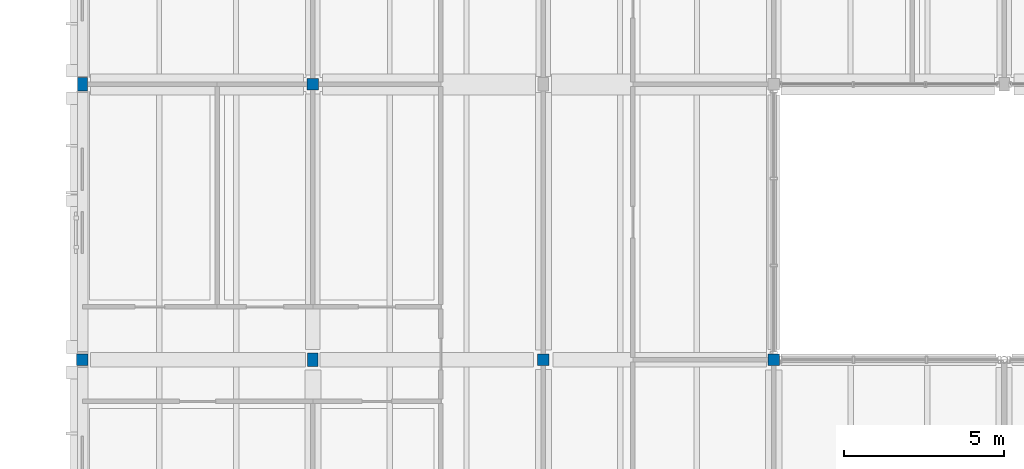
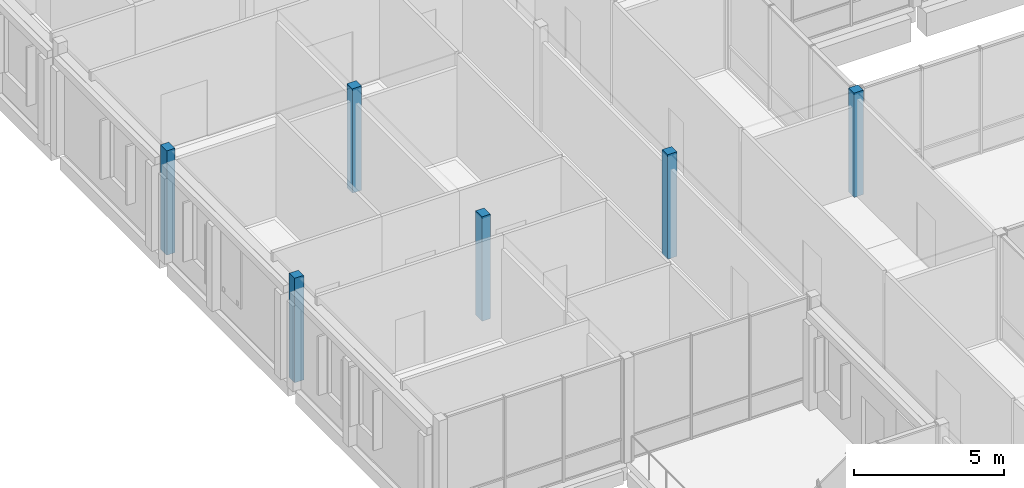
# One storey, part 5 of 146: 6 columns.
"""IFC4 building model written with IfcOpenShell, lengths in metres."""

from ifc_helpers import new_model, si_unit, direction, frame, origin, origin_2d, place, context, subcontext, project, spatial, rectangle, extrude, material, material_profile, profile_set, type_object, element, save


model = new_model("IFC4")

# Units and contexts
model_context = context("Model", 3, precision=1e-05, world=origin(), true_north=direction((0.0, 1.0)))
body_context = subcontext(model_context, "Body", "Model", "MODEL_VIEW")
ifc_project = project(units=[si_unit("LENGTHUNIT", "METRE"), si_unit("AREAUNIT", "SQUARE_METRE"), si_unit("VOLUMEUNIT", "CUBIC_METRE"), si_unit("PLANEANGLEUNIT", "RADIAN"), si_unit("MASSUNIT", "GRAM", prefix="KILO")], contexts=[model_context])

# Site, building, storey
site_placement = place(None, origin())
site = spatial("IfcSite", under=ifc_project, at=site_placement, CompositionType="ELEMENT")
building_placement = place(site_placement, origin())
building = spatial("IfcBuilding", under=site, at=building_placement, Name="Hawrajan Terrace Health Centre", CompositionType="ELEMENT")
storey_placement = place(building_placement, frame((0.0, 0.0, 4.5)))
storey = spatial("IfcBuildingStorey", under=building, at=storey_placement, Name="L01", CompositionType="ELEMENT", Elevation=4.5)

# Columns
ifc_material = material(Name="Glulam GL32h", Category="wood")
ifc_material_profile_1 = material_profile(ifc_material, rectangle(XDim=0.320068359375, YDim=0.419921875, at=origin_2d()), Name="GL 320x420")
ifc_profile_set_1 = profile_set([ifc_material_profile_1], Name="Glulam GL32h")
column_type_1 = type_object("IfcColumnType", Name="GlulamCol_320x420", PredefinedType="COLUMN", material=ifc_profile_set_1)
for number, where, z_axis, x_axis, name in (
    (1, (4.60009765625, 45.39990234375, 0.0), (0.0, 0.0, 1.0), (1.0, 0.0, 0.0), "Column COL-L01-W-X01-Y6"),
    (2, (11.800048828125, 36.800048828125, 0.0), (0.0, 0.0, 1.0), (1.0, 0.0, 0.0), "Column COL-L01-W-X02-Y5"),
):
    element("IfcColumn", number, at=place(storey_placement, frame(where, z_axis=z_axis, x_axis=x_axis)), inside=storey, type_object=column_type_1, Name=name, PredefinedType="COLUMN", context=body_context, shape_type="SweptSolid", body=[
        extrude(rectangle(XDim=0.320068359375, YDim=0.419921875, at=origin_2d()), origin(), (0.0, 0.0, 1.0), 4.260009765625),
    ])
ifc_material_profile_2 = material_profile(ifc_material, rectangle(XDim=0.360107421875, YDim=0.360107421875, at=origin_2d()), Name="GL 360x360")
ifc_profile_set_2 = profile_set([ifc_material_profile_2], Name="Glulam GL32h")
column_type_2 = type_object("IfcColumnType", Name="GlulamCol_360x360", PredefinedType="COLUMN", material=ifc_profile_set_2)
for number, where, z_axis, x_axis, name in (
    (3, (4.60009765625, 36.800048828125, 0.0), (0.0, 0.0, 1.0), (1.0, 0.0, 0.0), "Column COL-L01-W-X01-Y5"),
    (4, (11.800048828125, 45.39990234375, 0.0), (0.0, 0.0, 1.0), (1.0, 0.0, 0.0), "Column COL-L01-W-X02-Y6"),
    (5, (19.0, 36.800048828125, 0.0), (0.0, 0.0, 1.0), (1.0, 0.0, 0.0), "Column COL-L01-W-X03-Y5"),
    (6, (26.199951171875, 36.800048828125, 0.0), (0.0, 0.0, 1.0), (1.0, 0.0, 0.0), "Column COL-L01-W-X04-Y5"),
):
    element("IfcColumn", number, at=place(storey_placement, frame(where, z_axis=z_axis, x_axis=x_axis)), inside=storey, type_object=column_type_2, Name=name, PredefinedType="COLUMN", context=body_context, shape_type="SweptSolid", body=[
        extrude(rectangle(XDim=0.360107421875, YDim=0.360107421875, at=origin_2d()), origin(), (0.0, 0.0, 1.0), 4.260009765625),
    ])

save(model, "model.ifc")
